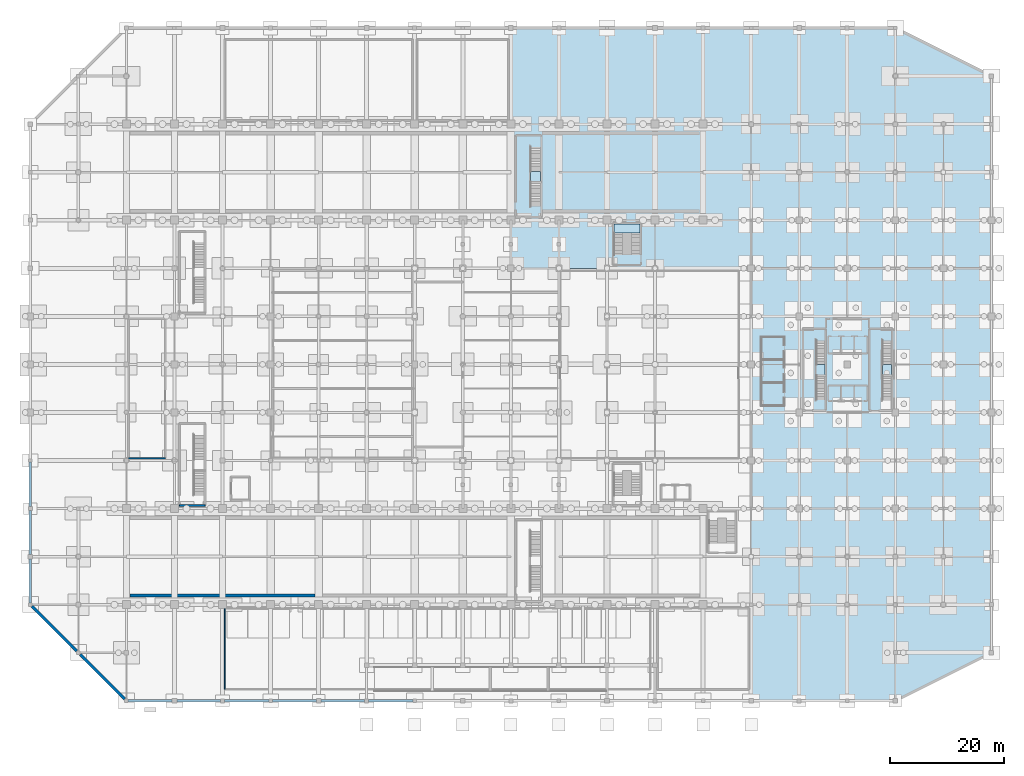
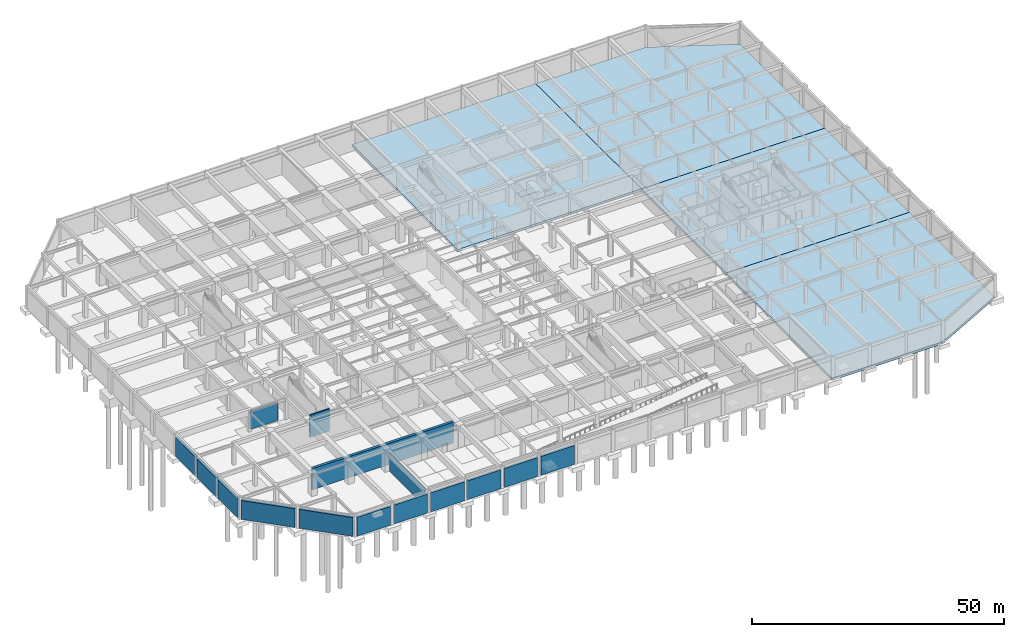
# One storey, part 17 of 26: 15 walls, 8 slabs, 4 elements without a shape of their own.
"""IFC4 building model written with IfcOpenShell, lengths in metres."""

from ifc_helpers import new_model, si_unit, direction, frame, frame_2d, origin, place, context, subcontext, project, spatial, polyline, rectangle, outline, extrude, material, layer, layer_set, type_object, element, aggregate, save


model = new_model("IFC4")

# Units and contexts
model_context = context("Model", 3, precision=1e-05, world=origin(), true_north=direction((0.0, 1.0)))
body_context = subcontext(model_context, "Body", "Model", "MODEL_VIEW")
ifc_project = project(units=[si_unit("LENGTHUNIT", "METRE"), si_unit("AREAUNIT", "SQUARE_METRE"), si_unit("VOLUMEUNIT", "CUBIC_METRE"), si_unit("PLANEANGLEUNIT", "RADIAN"), si_unit("MASSUNIT", "GRAM", prefix="KILO")], contexts=[model_context])

# Site, building, storey
site_placement = place(None, origin())
site = spatial("IfcSite", under=ifc_project, at=site_placement, CompositionType="ELEMENT")
building_placement = place(site_placement, origin())
building = spatial("IfcBuilding", under=site, at=building_placement, Name="Xuanlan Plaza Opera House", CompositionType="ELEMENT")
storey_placement = place(building_placement, frame((0.0, 0.0, -5.39990234375)))
storey = spatial("IfcBuildingStorey", under=building, at=storey_placement, Name="B01", CompositionType="ELEMENT", Elevation=-5.39990234375)

# Stair, slab
ifc_material_1 = material(Name="Concrete C40", Category="concrete")
stair_type_1 = type_object("IfcStairType", Name="INT-ST-STR-F130", PredefinedType="HALF_TURN_STAIR", material=ifc_material_1)
stair_1_placement = place(storey_placement, origin())
stair_1 = element("IfcStair", 1, at=stair_1_placement, inside=storey, type_object=stair_type_1, Name="Grand Foyer Feature Stair ST-F2 B01", PredefinedType="HALF_TURN_STAIR")
ifc_layer_1 = layer(ifc_material_1, 0.18994140625)
ifc_layer_set_1 = layer_set([ifc_layer_1], Name="Concrete C40")
slab_type_1 = type_object("IfcSlabType", Name="INT-SLB-LND-19", PredefinedType="LANDING", material=ifc_layer_set_1)
slab_1_placement = place(storey_placement, frame((0.0, 0.0, 2.510009765625)))
slab_1 = element("IfcSlab", 2, at=slab_1_placement, type_object=slab_type_1, Name="ST-F2-B01 landing 1", PredefinedType="LANDING", context=body_context, shape_type="SweptSolid", body=[
    extrude(outline(polyline([(102.0, 81.77490234375), (106.60009765625, 81.77490234375), (106.60009765625, 83.3798828125), (102.0, 83.3798828125), (102.0, 81.77490234375)])), origin(), (0.0, 0.0, 1.0), 0.18994140625),
])
aggregate(stair_1, [slab_1])

stair_type_2 = type_object("IfcStairType", Name="INT-ST-STR-T155", PredefinedType="STRAIGHT_RUN_STAIR", material=ifc_material_1)
stair_2_placement = place(storey_placement, origin())
stair_2 = element("IfcStair", 3, at=stair_2_placement, inside=storey, type_object=stair_type_2, Name="Protected Exit Stair ST-T1 B01", PredefinedType="STRAIGHT_RUN_STAIR")
ifc_layer_2 = layer(ifc_material_1, 0.199951171875)
ifc_layer_set_2 = layer_set([ifc_layer_2], Name="Concrete C40")
slab_type_2 = type_object("IfcSlabType", Name="INT-SLB-LND-20", PredefinedType="LANDING", material=ifc_layer_set_2)
slab_2_placement = place(storey_placement, frame((0.0, 0.0, 2.5)))
slab_2 = element("IfcSlab", 4, at=slab_2_placement, type_object=slab_type_2, Name="ST-T1-B01 landing 1", PredefinedType="LANDING", context=body_context, shape_type="SweptSolid", body=[
    extrude(outline(polyline([(137.35009765625, 56.85009765625), (138.89990234375, 56.85009765625), (138.89990234375, 58.75), (137.35009765625, 58.75), (137.35009765625, 56.85009765625)])), origin(), (0.0, 0.0, 1.0), 0.199951171875),
])
aggregate(stair_2, [slab_2])

stair_3_placement = place(storey_placement, origin())
stair_3 = element("IfcStair", 5, at=stair_3_placement, inside=storey, type_object=stair_type_2, Name="Protected Exit Stair ST-T2 B01", PredefinedType="STRAIGHT_RUN_STAIR")
slab_3_placement = place(storey_placement, frame((0.0, 0.0, 2.5)))
slab_3 = element("IfcSlab", 6, at=slab_3_placement, type_object=slab_type_2, Name="ST-T2-B01 landing 1", PredefinedType="LANDING", context=body_context, shape_type="SweptSolid", body=[
    extrude(outline(polyline([(148.949951171875, 56.85009765625), (150.5, 56.85009765625), (150.5, 58.75), (148.949951171875, 58.75), (148.949951171875, 56.85009765625)])), origin(), (0.0, 0.0, 1.0), 0.199951171875),
])
aggregate(stair_3, [slab_3])

stair_type_3 = type_object("IfcStairType", Name="INT-ST-STR-P180", PredefinedType="STRAIGHT_RUN_STAIR", material=ifc_material_1)
stair_4_placement = place(storey_placement, origin())
stair_4 = element("IfcStair", 7, at=stair_4_placement, inside=storey, type_object=stair_type_3, Name="Protected Exit Stair ST-P4 B01", PredefinedType="STRAIGHT_RUN_STAIR")
slab_4_placement = place(storey_placement, frame((0.0, 0.0, 2.5)))
slab_4 = element("IfcSlab", 8, at=slab_4_placement, type_object=slab_type_2, Name="ST-P4-B01 landing 1", PredefinedType="LANDING", context=body_context, shape_type="SweptSolid", body=[
    extrude(outline(polyline([(87.39990234375, 90.64990234375), (89.199951171875, 90.64990234375), (89.199951171875, 92.550048828125), (87.39990234375, 92.550048828125), (87.39990234375, 90.64990234375)])), origin(), (0.0, 0.0, 1.0), 0.199951171875),
])
aggregate(stair_4, [slab_4])

# Slabs
ifc_layer_3 = layer(ifc_material_1, 0.60009765625)
ifc_layer_set_3 = layer_set([ifc_layer_3], Name="Concrete C40")
slab_type_3 = type_object("IfcSlabType", Name="STR-SLB-BS-01", PredefinedType="BASESLAB", material=ifc_layer_set_3)
slab_5_placement = place(storey_placement, frame((0.0, 0.0, -0.60009765625)))
element("IfcSlab", 9, at=slab_5_placement, inside=storey, type_object=slab_type_3, Name="Basement B01 Structural Base Slab Zone 09", PredefinedType="BASESLAB", context=body_context, shape_type="SweptSolid", body=[
    extrude(outline(polyline([(126.0, 117.60009765625), (126.0, 75.60009765625), (84.0, 75.60009765625), (84.0, 117.60009765625), (126.0, 117.60009765625)])), origin(), (0.0, 0.0, 1.0), 0.60009765625),
])
slab_6_placement = place(storey_placement, frame((0.0, 0.0, -0.60009765625)))
element("IfcSlab", 10, at=slab_6_placement, inside=storey, type_object=slab_type_3, Name="Basement B01 Structural Base Slab Zone 10", PredefinedType="BASESLAB", context=body_context, shape_type="SweptSolid", body=[
    extrude(outline(polyline([(168.0, 8.39990234375), (151.199951171875, 0.0), (126.0, 0.0), (126.0, 42.0), (168.0, 42.0), (168.0, 8.39990234375)])), origin(), (0.0, 0.0, 1.0), 0.60009765625),
])
slab_7_placement = place(storey_placement, frame((0.0, 0.0, -0.60009765625)))
element("IfcSlab", 11, at=slab_7_placement, inside=storey, type_object=slab_type_3, Name="Basement B01 Structural Base Slab Zone 11", PredefinedType="BASESLAB", context=body_context, shape_type="SweptSolid", body=[
    extrude(outline(polyline([(168.0, 42.0), (126.0, 42.0), (126.0, 75.60009765625), (168.0, 75.60009765625), (168.0, 42.0)])), origin(), (0.0, 0.0, 1.0), 0.60009765625),
])
slab_8_placement = place(storey_placement, frame((0.0, 0.0, -0.60009765625)))
element("IfcSlab", 12, at=slab_8_placement, inside=storey, type_object=slab_type_3, Name="Basement B01 Structural Base Slab Zone 12", PredefinedType="BASESLAB", context=body_context, shape_type="SweptSolid", body=[
    extrude(outline(polyline([(151.199951171875, 117.60009765625), (168.0, 109.199951171875), (168.0, 75.60009765625), (126.0, 75.60009765625), (126.0, 117.60009765625), (151.199951171875, 117.60009765625)])), origin(), (0.0, 0.0, 1.0), 0.60009765625),
])

# Walls
ifc_material_2 = material(Name="Concrete C50", Category="concrete")
ifc_layer_4 = layer(ifc_material_2, 0.47998046875)
ifc_layer_set_4 = layer_set([ifc_layer_4], Name="Concrete C50")
wall_type_1 = type_object("IfcWallType", Name="ENV-WL-EW-B01", PredefinedType="SHEAR", material=ifc_layer_set_4)
wall_1_placement = place(storey_placement, frame((17.10009765625, 0.0, 0.0), z_axis=(0.0, 0.0, 1.0), x_axis=(1.0, 0.0, 0.0)))
element("IfcWall", 13, at=wall_1_placement, inside=storey, type_object=wall_type_1, Name="Exterior Wall B01-001", PredefinedType="SHEAR", context=body_context, shape_type="SweptSolid", body=[
    extrude(rectangle(XDim=7.699951171875, YDim=0.47998046875, at=frame_2d((3.85009765625, 0.0))), origin(), (0.0, 0.0, 1.0), 4.579833984375),
])
wall_2_placement = place(storey_placement, frame((25.60009765625, 0.0, 0.0), z_axis=(0.0, 0.0, 1.0), x_axis=(1.0, 0.0, 0.0)))
element("IfcWall", 14, at=wall_2_placement, inside=storey, type_object=wall_type_1, Name="Exterior Wall B01-002", PredefinedType="SHEAR", context=body_context, shape_type="SweptSolid", body=[
    extrude(rectangle(XDim=7.64990234375, YDim=0.47998046875, at=frame_2d((3.824951171875, 0.0))), origin(), (0.0, 0.0, 1.0), 4.579833984375),
])
wall_3_placement = place(storey_placement, frame((33.949951171875, 0.0, 0.0), z_axis=(0.0, 0.0, 1.0), x_axis=(1.0, 0.0, 0.0)))
element("IfcWall", 15, at=wall_3_placement, inside=storey, type_object=wall_type_1, Name="Exterior Wall B01-003", PredefinedType="SHEAR", context=body_context, shape_type="SweptSolid", body=[
    extrude(rectangle(XDim=7.75, YDim=0.47998046875, at=frame_2d((3.875, 0.0))), origin(), (0.0, 0.0, 1.0), 4.579833984375),
])
wall_4_placement = place(storey_placement, frame((42.300048828125, 0.0, 0.0), z_axis=(0.0, 0.0, 1.0), x_axis=(1.0, 0.0, 0.0)))
element("IfcWall", 16, at=wall_4_placement, inside=storey, type_object=wall_type_1, Name="Exterior Wall B01-004", PredefinedType="SHEAR", context=body_context, shape_type="SweptSolid", body=[
    extrude(rectangle(XDim=7.699951171875, YDim=0.47998046875, at=frame_2d((3.85009765625, 0.0))), origin(), (0.0, 0.0, 1.0), 4.579833984375),
])
wall_5_placement = place(storey_placement, frame((50.800048828125, 0.0, 0.0), z_axis=(0.0, 0.0, 1.0), x_axis=(1.0, 0.0, 0.0)))
element("IfcWall", 17, at=wall_5_placement, inside=storey, type_object=wall_type_1, Name="Exterior Wall B01-005", PredefinedType="SHEAR", context=body_context, shape_type="SweptSolid", body=[
    extrude(rectangle(XDim=7.64990234375, YDim=0.47998046875, at=frame_2d((3.824951171875, 0.0))), origin(), (0.0, 0.0, 1.0), 4.579833984375),
])
for number, where, z_axis, x_axis, name in (
    (18, (59.14990234375, 0.0, 0.0), (0.0, 0.0, 1.0), (1.0, 0.0, 0.0), "Exterior Wall B01-006"),
    (19, (0.0, 41.699951171875, 0.0), (0.0, 0.0, 1.0), (0.0, -1.0, 0.0), "Exterior Wall B01-056"),
):
    element("IfcWall", number, at=place(storey_placement, frame(where, z_axis=z_axis, x_axis=x_axis)), inside=storey, type_object=wall_type_1, Name=name, PredefinedType="SHEAR", context=body_context, shape_type="SweptSolid", body=[
        extrude(rectangle(XDim=7.75, YDim=0.47998046875, at=frame_2d((3.875, 0.0))), origin(), (0.0, 0.0, 1.0), 4.579833984375),
    ])
wall_6_placement = place(storey_placement, frame((0.0, 33.25, 0.0), z_axis=(0.0, 0.0, 1.0), x_axis=(0.0, -1.0, 0.0)))
element("IfcWall", 20, at=wall_6_placement, inside=storey, type_object=wall_type_1, Name="Exterior Wall B01-057", PredefinedType="SHEAR", context=body_context, shape_type="SweptSolid", body=[
    extrude(rectangle(XDim=7.64990234375, YDim=0.47998046875, at=frame_2d((3.824951171875, 0.0))), origin(), (0.0, 0.0, 1.0), 4.579833984375),
])
wall_7_placement = place(storey_placement, frame((0.0, 24.800048828125, 0.0), z_axis=(0.0, 0.0, 1.0), x_axis=(0.0, -1.0, 0.0)))
element("IfcWall", 21, at=wall_7_placement, inside=storey, type_object=wall_type_1, Name="Exterior Wall B01-058", PredefinedType="SHEAR", context=body_context, shape_type="SweptSolid", body=[
    extrude(rectangle(XDim=7.699951171875, YDim=0.47998046875, at=frame_2d((3.85009765625, 0.0))), origin(), (0.0, 0.0, 1.0), 4.579833984375),
])
for number, where, z_axis, x_axis, name in (
    (22, (0.300048828125, 16.5, 0.0), (0.0, 0.0, 1.0), (0.707106781187, -0.707106781187, 0.0), "Exterior Wall B01-059"),
    (23, (8.699951171875, 8.10009765625, 0.0), (0.0, 0.0, 1.0), (0.707106781187, -0.707106781187, 0.0), "Exterior Wall B01-060"),
):
    element("IfcWall", number, at=place(storey_placement, frame(where, z_axis=z_axis, x_axis=x_axis)), inside=storey, type_object=wall_type_1, Name=name, PredefinedType="SHEAR", context=body_context, shape_type="SweptSolid", body=[
        extrude(rectangle(XDim=11.031005859375, YDim=0.47998046875, at=frame_2d((5.515625, 0.0))), origin(), (0.0, 0.0, 1.0), 4.579833984375),
    ])
ifc_material_3 = material(Name="Gypsum Board and Galvanised Steel Studs", Category="gypsum")
ifc_layer_5 = layer(ifc_material_3, 0.179931640625)
ifc_layer_set_5 = layer_set([ifc_layer_5], Name="Gypsum Board and Galvanised Steel Studs")
wall_type_2 = type_object("IfcWallType", Name="INT-WL-PW-02", PredefinedType="PARTITIONING", material=ifc_layer_set_5)
wall_8_placement = place(storey_placement, frame((34.0, 2.0, 0.0), z_axis=(0.0, 0.0, 1.0), x_axis=(0.0, 1.0, 0.0)))
element("IfcWall", 24, at=wall_8_placement, inside=storey, type_object=wall_type_2, Name="Basement Motor Vehicle Parking Deck Wall West", PredefinedType="PARTITIONING", context=body_context, shape_type="SweptSolid", body=[
    extrude(rectangle(XDim=14.199951171875, YDim=0.179931640625, at=frame_2d((7.10009765625, 0.0))), origin(), (0.0, 0.0, 1.0), 4.43994140625),
])
ifc_material_4 = material(Name="Autoclaved Aerated Blockwork Masonry", Category="masonry")
ifc_layer_6 = layer(ifc_material_4, 0.219970703125)
ifc_layer_set_6 = layer_set([ifc_layer_6], Name="Autoclaved Aerated Blockwork Masonry")
wall_type_3 = type_object("IfcWallType", Name="INT-WL-PW-06", PredefinedType="PARTITIONING", material=ifc_layer_set_6)
wall_9_placement = place(storey_placement, frame((17.199951171875, 42.39990234375, 0.0), z_axis=(0.0, 0.0, 1.0), x_axis=(1.0, 0.0, 0.0)))
element("IfcWall", 25, at=wall_9_placement, inside=storey, type_object=wall_type_3, Name="Basement Bicycle Parking Store Wall South", PredefinedType="PARTITIONING", context=body_context, shape_type="SweptSolid", body=[
    extrude(rectangle(XDim=6.400146484375, YDim=0.219970703125, at=frame_2d((3.2001953125, 0.0))), origin(), (0.0, 0.0, 1.0), 4.43994140625),
])
ifc_layer_7 = layer(ifc_material_1, 0.300048828125)
ifc_layer_set_7 = layer_set([ifc_layer_7], Name="Concrete C40")
wall_type_4 = type_object("IfcWallType", Name="INT-WL-SW-ST1", PredefinedType="SHEAR", material=ifc_layer_set_7)
wall_10_placement = place(storey_placement, frame((26.050048828125, 34.14990234375, 0.0), z_axis=(0.0, 0.0, 1.0), x_axis=(1.0, 0.0, 0.0)))
element("IfcWall", 26, at=wall_10_placement, inside=storey, type_object=wall_type_4, Name="Stair Core Wall ST-P1 B01 South", PredefinedType="SHEAR", context=body_context, shape_type="SweptSolid", body=[
    extrude(rectangle(XDim=4.5, YDim=0.300048828125, at=frame_2d((2.25, 0.0))), origin(), (0.0, 0.0, 1.0), 5.39990234375),
])
ifc_layer_8 = layer(ifc_material_2, 0.60009765625)
ifc_layer_set_8 = layer_set([ifc_layer_8], Name="Concrete C50")
wall_type_5 = type_object("IfcWallType", Name="STR-WL-SW-M1", PredefinedType="SHEAR", material=ifc_layer_set_8)
wall_11_placement = place(storey_placement, frame((17.449951171875, 18.39990234375, 0.0), z_axis=(0.0, 0.0, 1.0), x_axis=(1.0, 0.0, 0.0)))
element("IfcWall", 27, at=wall_11_placement, inside=storey, type_object=wall_type_5, Name="Metro Tunnel Protection Wall M1-01", PredefinedType="SHEAR", context=body_context, shape_type="SweptSolid", body=[
    extrude(rectangle(XDim=32.300048828125, YDim=0.60009765625, at=frame_2d((16.14990234375, 0.0))), origin(), (0.0, 0.0, 1.0), 5.099853515625),
])

save(model, "model.ifc")
